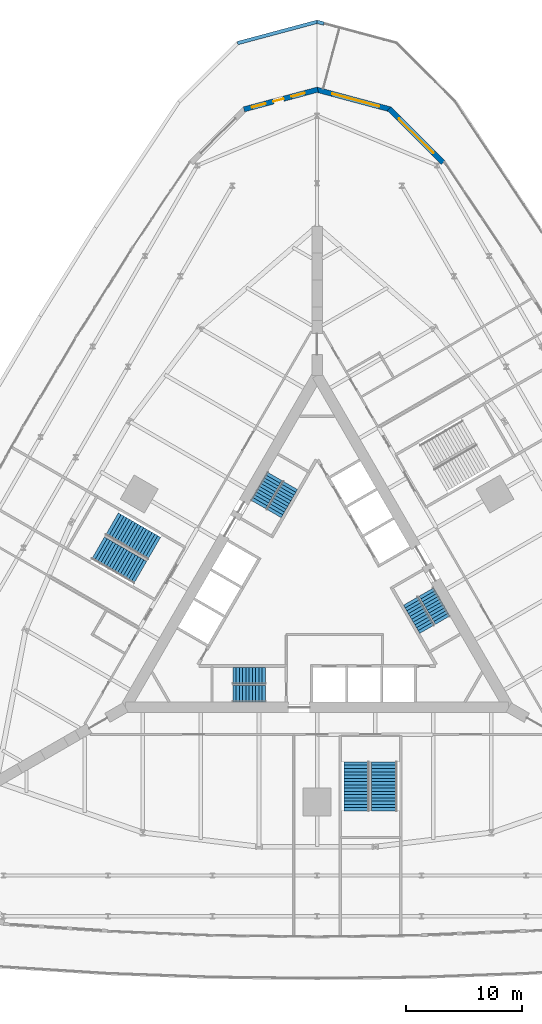
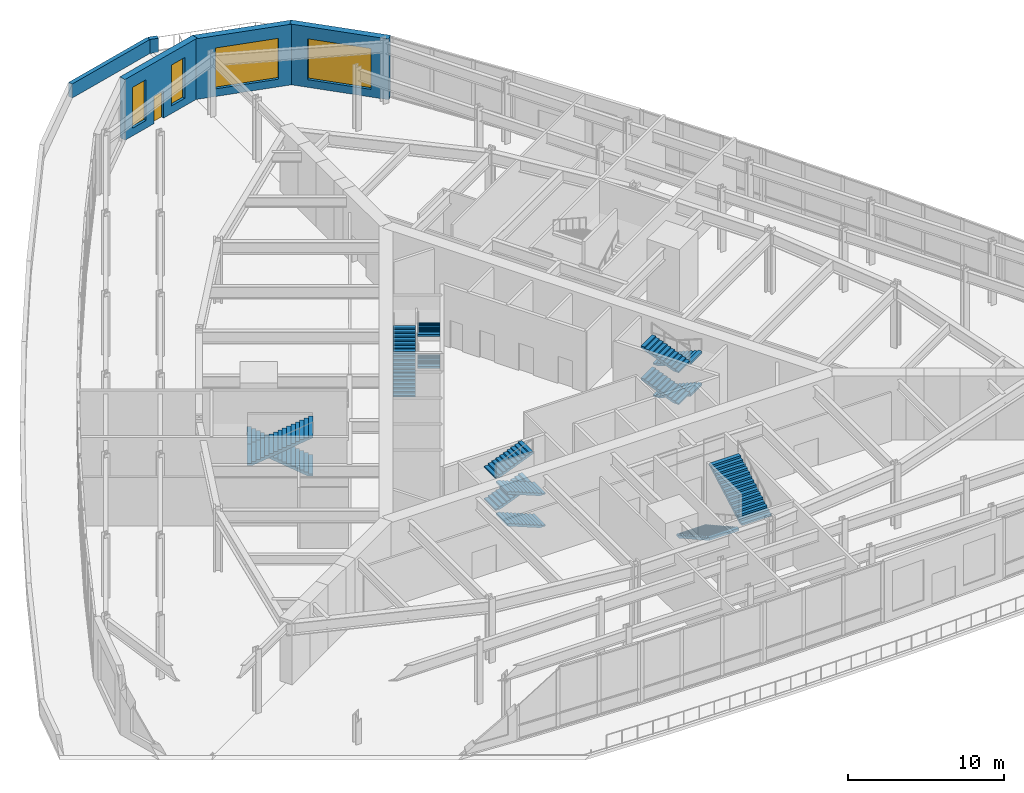
# One storey, part 16 of 20: 16 stair flights, 5 walls, 4 windows, 1 door, 5 openings, 5 elements without a shape of their own.
"""IFC4 building model written with IfcOpenShell, lengths in metres."""

from ifc_helpers import new_model, si_unit, direction, frame, frame_2d, origin, place, context, subcontext, project, spatial, polyline, rectangle, outline, extrude, material, layer, layer_set, type_object, element, fill, aggregate, save


model = new_model("IFC4")

# Units and contexts
model_context = context("Model", 3, precision=1e-05, world=origin(), true_north=direction((0.0, 1.0)))
body_context = subcontext(model_context, "Body", "Model", "MODEL_VIEW")
ifc_project = project(units=[si_unit("LENGTHUNIT", "METRE"), si_unit("AREAUNIT", "SQUARE_METRE"), si_unit("VOLUMEUNIT", "CUBIC_METRE"), si_unit("PLANEANGLEUNIT", "RADIAN"), si_unit("MASSUNIT", "GRAM", prefix="KILO")], contexts=[model_context])

# Site, building, storey
site_placement = place(None, origin())
site = spatial("IfcSite", under=ifc_project, at=site_placement, CompositionType="ELEMENT")
building_placement = place(site_placement, origin())
building = spatial("IfcBuilding", under=site, at=building_placement, Name="Trikona Tower", CompositionType="ELEMENT")
storey_placement = place(building_placement, frame((0.0, 0.0, 6.0)))
storey = spatial("IfcBuildingStorey", under=building, at=storey_placement, Name="L01", CompositionType="ELEMENT", Elevation=6.0)

# Wall, opening, window
ifc_material_1 = material(Name="Brick-faced precast concrete", Category="masonry")
ifc_layer_1 = layer(ifc_material_1, 0.449951171875)
ifc_layer_set_1 = layer_set([ifc_layer_1], Name="Brick-faced corner wall 450")
wall_type_1 = type_object("IfcWallType", Name="Brick-faced corner wall 450", PredefinedType="SOLIDWALL", material=ifc_layer_set_1)
wall_1_placement = place(storey_placement, frame((10.8408203125, 37.36865234375, 0.0), z_axis=(0.0, 0.0, 1.0), x_axis=(-0.7070882144, 0.707125347486, 0.0)))
wall_1 = element("IfcWall", 1, at=wall_1_placement, inside=storey, type_object=wall_type_1, Name="External wall L01-16", PredefinedType="SOLIDWALL", context=body_context, shape_type="SweptSolid", body=[
    extrude(rectangle(XDim=6.57470703125, YDim=0.449951171875, at=frame_2d((3.287353515625, 0.0))), origin(), (0.0, 0.0, 1.0), 4.75),
])
opening_1_placement = place(wall_1_placement, frame((1.1875, 0.0, 0.60009765625)))
opening_1 = element("IfcOpeningElement", 2, at=opening_1_placement, cuts=wall_1, Name="Opening W4232", PredefinedType="OPENING", context=body_context, shape_type="SweptSolid", body=[
    extrude(rectangle(XDim=4.199951171875, YDim=3.199951171875, at=frame_2d((2.10009765625, 1.60009765625))), frame((0.0, 0.23486328125, 0.0), z_axis=(0.0, -1.0, 0.0), x_axis=(1.0, 0.0, 0.0)), (0.0, 0.0, 1.0), 0.469970703125),
])
ifc_material_2 = material(Name="Aluminium-framed double glazing", Category="aluminium")
window_type_1 = type_object("IfcWindowType", Name="Window 4200x3200", PartitioningType="SINGLE_PANEL", PredefinedType="WINDOW", material=ifc_material_2)
window_1_placement = place(opening_1_placement, origin())
window_1 = element("IfcWindow", 3, at=window_1_placement, inside=storey, type_object=window_type_1, Name="Window L01-PDR", OverallHeight=3.199951171875, OverallWidth=4.199951171875, PartitioningType="SINGLE_PANEL", PredefinedType="WINDOW", context=body_context, shape_type="SweptSolid", body=[
    extrude(rectangle(XDim=4.199951171875, YDim=3.199951171875, at=frame_2d((2.10009765625, 1.60009765625))), frame((0.0, 0.030029296875, 0.0), z_axis=(0.0, -1.0, 0.0), x_axis=(1.0, 0.0, 0.0)), (0.0, 0.0, 1.0), 0.06005859375),
])
fill(opening_1, window_1)

wall_2_placement = place(storey_placement, frame((6.292724609375, 41.959716796875, 0.0), z_axis=(0.0, 0.0, 1.0), x_axis=(-0.96592733332, 0.258813420722, 0.0)))
wall_2 = element("IfcWall", 4, at=wall_2_placement, inside=storey, type_object=wall_type_1, Name="External wall L01-17", PredefinedType="SOLIDWALL", context=body_context, shape_type="SweptSolid", body=[
    extrude(rectangle(XDim=6.574951171875, YDim=0.449951171875, at=frame_2d((3.28759765625, 0.0))), origin(), (0.0, 0.0, 1.0), 4.75),
])
opening_2_placement = place(wall_2_placement, frame((0.96875, 0.0, 0.60009765625)))
opening_2 = element("IfcOpeningElement", 5, at=opening_2_placement, cuts=wall_2, Name="Opening W4232", PredefinedType="OPENING", context=body_context, shape_type="SweptSolid", body=[
    extrude(rectangle(XDim=4.199951171875, YDim=3.199951171875, at=frame_2d((2.10009765625, 1.60009765625))), frame((0.0, 0.23486328125, 0.0), z_axis=(0.0, -1.0, 0.0), x_axis=(1.0, 0.0, 0.0)), (0.0, 0.0, 1.0), 0.469970703125),
])
window_2_placement = place(opening_2_placement, origin())
window_2 = element("IfcWindow", 6, at=window_2_placement, inside=storey, type_object=window_type_1, Name="Window L01-PDR", OverallHeight=3.199951171875, OverallWidth=4.199951171875, PartitioningType="SINGLE_PANEL", PredefinedType="WINDOW", context=body_context, shape_type="SweptSolid", body=[
    extrude(rectangle(XDim=4.199951171875, YDim=3.199951171875, at=frame_2d((2.10009765625, 1.60009765625))), frame((0.0, 0.030029296875, 0.0), z_axis=(0.0, -1.0, 0.0), x_axis=(1.0, 0.0, 0.0)), (0.0, 0.0, 1.0), 0.06005859375),
])
fill(opening_2, window_2)

# Wall, openings, door, windows
wall_3_placement = place(storey_placement, frame((0.05810546875, 43.661376953125, 0.0), z_axis=(0.0, 0.0, 1.0), x_axis=(-0.96592733332, -0.258813420722, 0.0)))
wall_3 = element("IfcWall", 7, at=wall_3_placement, inside=storey, type_object=wall_type_1, Name="External wall L01-18", PredefinedType="SOLIDWALL", context=body_context, shape_type="SweptSolid", body=[
    extrude(rectangle(XDim=6.574951171875, YDim=0.449951171875, at=frame_2d((3.28759765625, 0.0))), origin(), (0.0, 0.0, 1.0), 4.75),
])
opening_3_placement = place(wall_3_placement, frame((3.0556640625, 0.0, 0.0)))
opening_3 = element("IfcOpeningElement", 8, at=opening_3_placement, cuts=wall_3, Name="Opening D17", PredefinedType="OPENING", context=body_context, shape_type="SweptSolid", body=[
    extrude(rectangle(XDim=0.89990234375, YDim=2.1298828125, at=frame_2d((0.449951171875, 1.06494140625))), frame((0.0, 0.23486328125, 0.0), z_axis=(0.0, -1.0, 0.0), x_axis=(1.0, 0.0, 0.0)), (0.0, 0.0, 1.0), 0.469970703125),
])
opening_4_placement = place(wall_3_placement, frame((1.14599609375, 0.0, 0.60009765625)))
opening_4 = element("IfcOpeningElement", 9, at=opening_4_placement, cuts=wall_3, Name="Opening W1232", PredefinedType="OPENING", context=body_context, shape_type="SweptSolid", body=[
    extrude(rectangle(XDim=1.199951171875, YDim=3.199951171875, at=frame_2d((0.60009765625, 1.60009765625))), frame((0.0, 0.23486328125, 0.0), z_axis=(0.0, -1.0, 0.0), x_axis=(1.0, 0.0, 0.0)), (0.0, 0.0, 1.0), 0.469970703125),
])
opening_5_placement = place(wall_3_placement, frame((4.665283203125, 0.0, 0.60009765625)))
opening_5 = element("IfcOpeningElement", 10, at=opening_5_placement, cuts=wall_3, Name="Opening W1232", PredefinedType="OPENING", context=body_context, shape_type="SweptSolid", body=[
    extrude(rectangle(XDim=1.199951171875, YDim=3.199951171875, at=frame_2d((0.60009765625, 1.60009765625))), frame((0.0, 0.23486328125, 0.0), z_axis=(0.0, -1.0, 0.0), x_axis=(1.0, 0.0, 0.0)), (0.0, 0.0, 1.0), 0.469970703125),
])
ifc_material_3 = material(Name="Insulated steel door and frame", Category="steel")
door_type = type_object("IfcDoorType", Name="Maintenance roof access door 900x2130", OperationType="SINGLE_SWING_LEFT", PredefinedType="DOOR", material=ifc_material_3)
door_placement = place(opening_3_placement, origin())
door = element("IfcDoor", 11, at=door_placement, inside=storey, type_object=door_type, Name="Maintenance access door Back of house", OperationType="SINGLE_SWING_RIGHT", OverallHeight=2.1298828125, OverallWidth=0.89990234375, PredefinedType="DOOR", context=body_context, shape_type="SweptSolid", body=[
    extrude(rectangle(XDim=0.89990234375, YDim=2.1298828125, at=frame_2d((0.449951171875, 1.06494140625))), frame((0.0, 0.02490234375, 0.0), z_axis=(0.0, -1.0, 0.0), x_axis=(1.0, 0.0, 0.0)), (0.0, 0.0, 1.0), 0.050048828125),
])
fill(opening_3, door)
ifc_material_4 = material(Name="Aluminium-framed double glazing", Category="aluminium")
window_type_2 = type_object("IfcWindowType", Name="Window 1200x3200", PartitioningType="SINGLE_PANEL", PredefinedType="WINDOW", material=ifc_material_4)
window_3_placement = place(opening_4_placement, origin())
window_3 = element("IfcWindow", 12, at=window_3_placement, inside=storey, type_object=window_type_2, Name="Window L01-BOH", OverallHeight=3.199951171875, OverallWidth=1.199951171875, PartitioningType="SINGLE_PANEL", PredefinedType="WINDOW", context=body_context, shape_type="SweptSolid", body=[
    extrude(rectangle(XDim=1.199951171875, YDim=3.199951171875, at=frame_2d((0.60009765625, 1.60009765625))), frame((0.0, 0.030029296875, 0.0), z_axis=(0.0, -1.0, 0.0), x_axis=(1.0, 0.0, 0.0)), (0.0, 0.0, 1.0), 0.06005859375),
])
fill(opening_4, window_3)
window_4_placement = place(opening_5_placement, origin())
window_4 = element("IfcWindow", 13, at=window_4_placement, inside=storey, type_object=window_type_2, Name="Window L01-BOH", OverallHeight=3.199951171875, OverallWidth=1.199951171875, PartitioningType="SINGLE_PANEL", PredefinedType="WINDOW", context=body_context, shape_type="SweptSolid", body=[
    extrude(rectangle(XDim=1.199951171875, YDim=3.199951171875, at=frame_2d((0.60009765625, 1.60009765625))), frame((0.0, 0.030029296875, 0.0), z_axis=(0.0, -1.0, 0.0), x_axis=(1.0, 0.0, 0.0)), (0.0, 0.0, 1.0), 0.06005859375),
])
fill(opening_5, window_4)

# Walls
ifc_material_5 = material(Name="Brick-faced precast concrete", Category="masonry")
ifc_layer_2 = layer(ifc_material_5, 0.300048828125)
ifc_layer_set_2 = layer_set([ifc_layer_2], Name="Parapet wall 300")
wall_type_2 = type_object("IfcWallType", Name="Parapet wall 300", PredefinedType="PARAPET", material=ifc_layer_set_2)
wall_4_placement = place(storey_placement, frame((-6.8505859375, 47.6611328125, 0.0), z_axis=(0.0, 0.0, 1.0), x_axis=(0.965922851517, 0.258830146848, 0.0)))
element("IfcWall", 14, at=wall_4_placement, inside=storey, type_object=wall_type_2, Name="Green roof parapet L01-1-10", PredefinedType="PARAPET", context=body_context, shape_type="SweptSolid", body=[
    extrude(rectangle(XDim=7.09228515625, YDim=0.300048828125, at=frame_2d((3.546142578125, 0.0))), origin(), (0.0, 0.0, 1.0), 1.10009765625),
])
wall_5_placement = place(storey_placement, frame((0.0, 49.496826171875, 0.0), z_axis=(0.0, 0.0, 1.0), x_axis=(0.965937155273, -0.258776761059, 0.0)))
element("IfcWall", 15, at=wall_5_placement, inside=storey, type_object=wall_type_2, Name="Green roof parapet L01-1-11", PredefinedType="PARAPET", context=body_context, shape_type="SweptSolid", body=[
    extrude(rectangle(XDim=0.60009765625, YDim=0.300048828125, at=frame_2d((0.300048828125, 0.0))), origin(), (0.0, 0.0, 1.0), 1.10009765625),
])

# Stair, stair flights
ifc_material_6 = material(Name="Concrete f'c 5000 psi", Category="concrete")
stair_type_1 = type_object("IfcStairType", Name="Core stair", PredefinedType="HALF_TURN_STAIR", material=ifc_material_6)
stair_1_placement = place(storey_placement, origin())
stair_1 = element("IfcStair", 16, at=stair_1_placement, inside=storey, type_object=stair_type_1, Name="Stair A L01", PredefinedType="HALF_TURN_STAIR")
ifc_material_7 = material(Name="Concrete f'c 5000 psi", Category="concrete")
stair_flight_type_1 = type_object("IfcStairFlightType", Name="Core stair flight 1450", PredefinedType="STRAIGHT", material=ifc_material_7)
stair_flight_1_placement = place(storey_placement, frame((-4.449951171875, -8.351318359375, 0.0), z_axis=(0.0, 0.0, 1.0), x_axis=(-1.0, 0.0, 0.0)))
stair_flight_1 = element("IfcStairFlight", 17, at=stair_flight_1_placement, type_object=stair_flight_type_1, Name="ST-A flight 1", NumberOfRisers=11, NumberOfTreads=10, PredefinedType="STRAIGHT", RiserHeight=0.113636, TreadLength=0.28, context=body_context, shape_type="SweptSolid", body=[
    extrude(outline(polyline([(0.0, 0.0), (0.0, 0.113525390625), (0.280029296875, 0.113525390625), (0.280029296875, 0.227294921875), (0.56005859375, 0.227294921875), (0.56005859375, 0.3408203125), (0.840087890625, 0.3408203125), (0.840087890625, 0.45458984375), (1.1201171875, 0.45458984375), (1.1201171875, 0.568115234375), (1.39990234375, 0.568115234375), (1.39990234375, 0.681884765625), (1.679931640625, 0.681884765625), (1.679931640625, 0.79541015625), (1.9599609375, 0.79541015625), (1.9599609375, 0.9091796875), (2.239990234375, 0.9091796875), (2.239990234375, 1.022705078125), (2.52001953125, 1.022705078125), (2.52001953125, 1.136474609375), (2.800048828125, 1.136474609375), (2.800048828125, 1.25), (2.800048828125, 0.974609375), (0.398681640625, 0.0), (0.0, 0.0)])), frame((0.0, 0.72509765625, 0.0), z_axis=(0.0, -1.0, 0.0), x_axis=(1.0, 0.0, 0.0)), (0.0, 0.0, 1.0), 1.449951171875),
])
stair_flight_2_placement = place(storey_placement, frame((-7.25, -6.80126953125, 1.25), z_axis=(0.0, 0.0, 1.0), x_axis=(1.0, 0.0, 0.0)))
stair_flight_2 = element("IfcStairFlight", 18, at=stair_flight_2_placement, type_object=stair_flight_type_1, Name="ST-A flight 2", NumberOfRisers=11, NumberOfTreads=10, PredefinedType="STRAIGHT", RiserHeight=0.113636, TreadLength=0.28, context=body_context, shape_type="SweptSolid", body=[
    extrude(outline(polyline([(0.0, 0.0), (0.0, 0.113525390625), (0.280029296875, 0.113525390625), (0.280029296875, 0.227294921875), (0.56005859375, 0.227294921875), (0.56005859375, 0.3408203125), (0.840087890625, 0.3408203125), (0.840087890625, 0.45458984375), (1.1201171875, 0.45458984375), (1.1201171875, 0.568115234375), (1.39990234375, 0.568115234375), (1.39990234375, 0.681884765625), (1.679931640625, 0.681884765625), (1.679931640625, 0.79541015625), (1.9599609375, 0.79541015625), (1.9599609375, 0.9091796875), (2.239990234375, 0.9091796875), (2.239990234375, 1.022705078125), (2.52001953125, 1.022705078125), (2.52001953125, 1.136474609375), (2.800048828125, 1.136474609375), (2.800048828125, 1.25), (2.800048828125, 0.974609375), (0.398681640625, 0.0), (0.0, 0.0)])), frame((0.0, 0.72509765625, 0.0), z_axis=(0.0, -1.0, 0.0), x_axis=(1.0, 0.0, 0.0)), (0.0, 0.0, 1.0), 1.449951171875),
])
stair_flight_3_placement = place(storey_placement, frame((-4.449951171875, -8.351318359375, 2.5), z_axis=(0.0, 0.0, 1.0), x_axis=(-1.0, 0.0, 0.0)))
stair_flight_3 = element("IfcStairFlight", 19, at=stair_flight_3_placement, type_object=stair_flight_type_1, Name="ST-A flight 3", NumberOfRisers=11, NumberOfTreads=10, PredefinedType="STRAIGHT", RiserHeight=0.113636, TreadLength=0.28, context=body_context, shape_type="SweptSolid", body=[
    extrude(outline(polyline([(0.0, 0.0), (0.0, 0.113525390625), (0.280029296875, 0.113525390625), (0.280029296875, 0.227294921875), (0.56005859375, 0.227294921875), (0.56005859375, 0.3408203125), (0.840087890625, 0.3408203125), (0.840087890625, 0.45458984375), (1.1201171875, 0.45458984375), (1.1201171875, 0.568115234375), (1.39990234375, 0.568115234375), (1.39990234375, 0.681884765625), (1.679931640625, 0.681884765625), (1.679931640625, 0.79541015625), (1.9599609375, 0.79541015625), (1.9599609375, 0.9091796875), (2.239990234375, 0.9091796875), (2.239990234375, 1.022705078125), (2.52001953125, 1.022705078125), (2.52001953125, 1.136474609375), (2.800048828125, 1.136474609375), (2.800048828125, 1.25), (2.800048828125, 0.974609375), (0.398681640625, 0.0), (0.0, 0.0)])), frame((0.0, 0.72509765625, 0.0), z_axis=(0.0, -1.0, 0.0), x_axis=(1.0, 0.0, 0.0)), (0.0, 0.0, 1.0), 1.449951171875),
])
stair_flight_4_placement = place(storey_placement, frame((-7.25, -6.80126953125, 3.75), z_axis=(0.0, 0.0, 1.0), x_axis=(1.0, 0.0, 0.0)))
stair_flight_4 = element("IfcStairFlight", 20, at=stair_flight_4_placement, type_object=stair_flight_type_1, Name="ST-A flight 4", NumberOfRisers=11, NumberOfTreads=10, PredefinedType="STRAIGHT", RiserHeight=0.113636, TreadLength=0.28, context=body_context, shape_type="SweptSolid", body=[
    extrude(outline(polyline([(0.0, 0.0), (0.0, 0.113525390625), (0.280029296875, 0.113525390625), (0.280029296875, 0.227294921875), (0.56005859375, 0.227294921875), (0.56005859375, 0.3408203125), (0.840087890625, 0.3408203125), (0.840087890625, 0.45458984375), (1.1201171875, 0.45458984375), (1.1201171875, 0.568115234375), (1.39990234375, 0.568115234375), (1.39990234375, 0.681884765625), (1.679931640625, 0.681884765625), (1.679931640625, 0.79541015625), (1.9599609375, 0.79541015625), (1.9599609375, 0.9091796875), (2.239990234375, 0.9091796875), (2.239990234375, 1.022705078125), (2.52001953125, 1.022705078125), (2.52001953125, 1.136474609375), (2.800048828125, 1.136474609375), (2.800048828125, 1.25), (2.800048828125, 0.974609375), (0.398681640625, 0.0), (0.0, 0.0)])), frame((0.0, 0.72509765625, 0.0), z_axis=(0.0, -1.0, 0.0), x_axis=(1.0, 0.0, 0.0)), (0.0, 0.0, 1.0), 1.449951171875),
])
aggregate(stair_1, [stair_flight_1, stair_flight_2, stair_flight_3, stair_flight_4])

stair_2_placement = place(storey_placement, origin())
stair_2 = element("IfcStair", 21, at=stair_2_placement, inside=storey, type_object=stair_type_1, Name="Stair B L01", PredefinedType="HALF_TURN_STAIR")
stair_flight_5_placement = place(storey_placement, frame((9.407470703125, 0.408447265625, 0.0), z_axis=(0.0, 0.0, 1.0), x_axis=(0.5, -0.866025403784, 0.0)))
stair_flight_5 = element("IfcStairFlight", 22, at=stair_flight_5_placement, type_object=stair_flight_type_1, Name="ST-B flight 1", NumberOfRisers=11, NumberOfTreads=10, PredefinedType="STRAIGHT", RiserHeight=0.113636, TreadLength=0.28, context=body_context, shape_type="SweptSolid", body=[
    extrude(outline(polyline([(0.0, 0.0), (0.0, 0.113525390625), (0.280029296875, 0.113525390625), (0.280029296875, 0.227294921875), (0.56005859375, 0.227294921875), (0.56005859375, 0.3408203125), (0.840087890625, 0.3408203125), (0.840087890625, 0.45458984375), (1.1201171875, 0.45458984375), (1.1201171875, 0.568115234375), (1.39990234375, 0.568115234375), (1.39990234375, 0.681884765625), (1.679931640625, 0.681884765625), (1.679931640625, 0.79541015625), (1.9599609375, 0.79541015625), (1.9599609375, 0.9091796875), (2.239990234375, 0.9091796875), (2.239990234375, 1.022705078125), (2.52001953125, 1.022705078125), (2.52001953125, 1.136474609375), (2.800048828125, 1.136474609375), (2.800048828125, 1.25), (2.800048828125, 0.974609375), (0.398681640625, 0.0), (0.0, 0.0)])), frame((0.0, 0.72509765625, 0.0), z_axis=(0.0, -1.0, 0.0), x_axis=(1.0, 0.0, 0.0)), (0.0, 0.0, 1.0), 1.449951171875),
])
stair_flight_6_placement = place(storey_placement, frame((9.465087890625, -2.79150390625, 1.25), z_axis=(0.0, 0.0, 1.0), x_axis=(-0.5, 0.866025403784, 0.0)))
stair_flight_6 = element("IfcStairFlight", 23, at=stair_flight_6_placement, type_object=stair_flight_type_1, Name="ST-B flight 2", NumberOfRisers=11, NumberOfTreads=10, PredefinedType="STRAIGHT", RiserHeight=0.113636, TreadLength=0.28, context=body_context, shape_type="SweptSolid", body=[
    extrude(outline(polyline([(0.0, 0.0), (0.0, 0.113525390625), (0.280029296875, 0.113525390625), (0.280029296875, 0.227294921875), (0.56005859375, 0.227294921875), (0.56005859375, 0.3408203125), (0.840087890625, 0.3408203125), (0.840087890625, 0.45458984375), (1.1201171875, 0.45458984375), (1.1201171875, 0.568115234375), (1.39990234375, 0.568115234375), (1.39990234375, 0.681884765625), (1.679931640625, 0.681884765625), (1.679931640625, 0.79541015625), (1.9599609375, 0.79541015625), (1.9599609375, 0.9091796875), (2.239990234375, 0.9091796875), (2.239990234375, 1.022705078125), (2.52001953125, 1.022705078125), (2.52001953125, 1.136474609375), (2.800048828125, 1.136474609375), (2.800048828125, 1.25), (2.800048828125, 0.974609375), (0.398681640625, 0.0), (0.0, 0.0)])), frame((0.0, 0.72509765625, 0.0), z_axis=(0.0, -1.0, 0.0), x_axis=(1.0, 0.0, 0.0)), (0.0, 0.0, 1.0), 1.449951171875),
])
stair_flight_7_placement = place(storey_placement, frame((9.407470703125, 0.408447265625, 2.5), z_axis=(0.0, 0.0, 1.0), x_axis=(0.5, -0.866025403784, 0.0)))
stair_flight_7 = element("IfcStairFlight", 24, at=stair_flight_7_placement, type_object=stair_flight_type_1, Name="ST-B flight 3", NumberOfRisers=11, NumberOfTreads=10, PredefinedType="STRAIGHT", RiserHeight=0.113636, TreadLength=0.28, context=body_context, shape_type="SweptSolid", body=[
    extrude(outline(polyline([(0.0, 0.0), (0.0, 0.113525390625), (0.280029296875, 0.113525390625), (0.280029296875, 0.227294921875), (0.56005859375, 0.227294921875), (0.56005859375, 0.3408203125), (0.840087890625, 0.3408203125), (0.840087890625, 0.45458984375), (1.1201171875, 0.45458984375), (1.1201171875, 0.568115234375), (1.39990234375, 0.568115234375), (1.39990234375, 0.681884765625), (1.679931640625, 0.681884765625), (1.679931640625, 0.79541015625), (1.9599609375, 0.79541015625), (1.9599609375, 0.9091796875), (2.239990234375, 0.9091796875), (2.239990234375, 1.022705078125), (2.52001953125, 1.022705078125), (2.52001953125, 1.136474609375), (2.800048828125, 1.136474609375), (2.800048828125, 1.25), (2.800048828125, 0.974609375), (0.398681640625, 0.0), (0.0, 0.0)])), frame((0.0, 0.72509765625, 0.0), z_axis=(0.0, -1.0, 0.0), x_axis=(1.0, 0.0, 0.0)), (0.0, 0.0, 1.0), 1.449951171875),
])
stair_flight_8_placement = place(storey_placement, frame((9.465087890625, -2.79150390625, 3.75), z_axis=(0.0, 0.0, 1.0), x_axis=(-0.5, 0.866025403784, 0.0)))
stair_flight_8 = element("IfcStairFlight", 25, at=stair_flight_8_placement, type_object=stair_flight_type_1, Name="ST-B flight 4", NumberOfRisers=11, NumberOfTreads=10, PredefinedType="STRAIGHT", RiserHeight=0.113636, TreadLength=0.28, context=body_context, shape_type="SweptSolid", body=[
    extrude(outline(polyline([(0.0, 0.0), (0.0, 0.113525390625), (0.280029296875, 0.113525390625), (0.280029296875, 0.227294921875), (0.56005859375, 0.227294921875), (0.56005859375, 0.3408203125), (0.840087890625, 0.3408203125), (0.840087890625, 0.45458984375), (1.1201171875, 0.45458984375), (1.1201171875, 0.568115234375), (1.39990234375, 0.568115234375), (1.39990234375, 0.681884765625), (1.679931640625, 0.681884765625), (1.679931640625, 0.79541015625), (1.9599609375, 0.79541015625), (1.9599609375, 0.9091796875), (2.239990234375, 0.9091796875), (2.239990234375, 1.022705078125), (2.52001953125, 1.022705078125), (2.52001953125, 1.136474609375), (2.800048828125, 1.136474609375), (2.800048828125, 1.25), (2.800048828125, 0.974609375), (0.398681640625, 0.0), (0.0, 0.0)])), frame((0.0, 0.72509765625, 0.0), z_axis=(0.0, -1.0, 0.0), x_axis=(1.0, 0.0, 0.0)), (0.0, 0.0, 1.0), 1.449951171875),
])
aggregate(stair_2, [stair_flight_5, stair_flight_6, stair_flight_7, stair_flight_8])

stair_3_placement = place(storey_placement, origin())
stair_3 = element("IfcStair", 26, at=stair_3_placement, inside=storey, type_object=stair_type_1, Name="Stair C L01", PredefinedType="HALF_TURN_STAIR")
stair_flight_9_placement = place(storey_placement, frame((-5.057373046875, 7.94287109375, 0.0), z_axis=(0.0, 0.0, 1.0), x_axis=(0.5, 0.866025403784, 0.0)))
stair_flight_9 = element("IfcStairFlight", 27, at=stair_flight_9_placement, type_object=stair_flight_type_1, Name="ST-C flight 1", NumberOfRisers=11, NumberOfTreads=10, PredefinedType="STRAIGHT", RiserHeight=0.113636, TreadLength=0.28, context=body_context, shape_type="SweptSolid", body=[
    extrude(outline(polyline([(0.0, 0.0), (0.0, 0.113525390625), (0.280029296875, 0.113525390625), (0.280029296875, 0.227294921875), (0.56005859375, 0.227294921875), (0.56005859375, 0.3408203125), (0.840087890625, 0.3408203125), (0.840087890625, 0.45458984375), (1.1201171875, 0.45458984375), (1.1201171875, 0.568115234375), (1.39990234375, 0.568115234375), (1.39990234375, 0.681884765625), (1.679931640625, 0.681884765625), (1.679931640625, 0.79541015625), (1.9599609375, 0.79541015625), (1.9599609375, 0.9091796875), (2.239990234375, 0.9091796875), (2.239990234375, 1.022705078125), (2.52001953125, 1.022705078125), (2.52001953125, 1.136474609375), (2.800048828125, 1.136474609375), (2.800048828125, 1.25), (2.800048828125, 0.974609375), (0.398681640625, 0.0), (0.0, 0.0)])), frame((0.0, 0.72509765625, 0.0), z_axis=(0.0, -1.0, 0.0), x_axis=(1.0, 0.0, 0.0)), (0.0, 0.0, 1.0), 1.449951171875),
])
stair_flight_10_placement = place(storey_placement, frame((-2.315185546875, 9.5927734375, 1.25), z_axis=(0.0, 0.0, 1.0), x_axis=(-0.5, -0.866025403784, 0.0)))
stair_flight_10 = element("IfcStairFlight", 28, at=stair_flight_10_placement, type_object=stair_flight_type_1, Name="ST-C flight 2", NumberOfRisers=11, NumberOfTreads=10, PredefinedType="STRAIGHT", RiserHeight=0.113636, TreadLength=0.28, context=body_context, shape_type="SweptSolid", body=[
    extrude(outline(polyline([(0.0, 0.0), (0.0, 0.113525390625), (0.280029296875, 0.113525390625), (0.280029296875, 0.227294921875), (0.56005859375, 0.227294921875), (0.56005859375, 0.3408203125), (0.840087890625, 0.3408203125), (0.840087890625, 0.45458984375), (1.1201171875, 0.45458984375), (1.1201171875, 0.568115234375), (1.39990234375, 0.568115234375), (1.39990234375, 0.681884765625), (1.679931640625, 0.681884765625), (1.679931640625, 0.79541015625), (1.9599609375, 0.79541015625), (1.9599609375, 0.9091796875), (2.239990234375, 0.9091796875), (2.239990234375, 1.022705078125), (2.52001953125, 1.022705078125), (2.52001953125, 1.136474609375), (2.800048828125, 1.136474609375), (2.800048828125, 1.25), (2.800048828125, 0.974609375), (0.398681640625, 0.0), (0.0, 0.0)])), frame((0.0, 0.72509765625, 0.0), z_axis=(0.0, -1.0, 0.0), x_axis=(1.0, 0.0, 0.0)), (0.0, 0.0, 1.0), 1.449951171875),
])
stair_flight_11_placement = place(storey_placement, frame((-5.057373046875, 7.94287109375, 2.5), z_axis=(0.0, 0.0, 1.0), x_axis=(0.5, 0.866025403784, 0.0)))
stair_flight_11 = element("IfcStairFlight", 29, at=stair_flight_11_placement, type_object=stair_flight_type_1, Name="ST-C flight 3", NumberOfRisers=11, NumberOfTreads=10, PredefinedType="STRAIGHT", RiserHeight=0.113636, TreadLength=0.28, context=body_context, shape_type="SweptSolid", body=[
    extrude(outline(polyline([(0.0, 0.0), (0.0, 0.113525390625), (0.280029296875, 0.113525390625), (0.280029296875, 0.227294921875), (0.56005859375, 0.227294921875), (0.56005859375, 0.3408203125), (0.840087890625, 0.3408203125), (0.840087890625, 0.45458984375), (1.1201171875, 0.45458984375), (1.1201171875, 0.568115234375), (1.39990234375, 0.568115234375), (1.39990234375, 0.681884765625), (1.679931640625, 0.681884765625), (1.679931640625, 0.79541015625), (1.9599609375, 0.79541015625), (1.9599609375, 0.9091796875), (2.239990234375, 0.9091796875), (2.239990234375, 1.022705078125), (2.52001953125, 1.022705078125), (2.52001953125, 1.136474609375), (2.800048828125, 1.136474609375), (2.800048828125, 1.25), (2.800048828125, 0.974609375), (0.398681640625, 0.0), (0.0, 0.0)])), frame((0.0, 0.72509765625, 0.0), z_axis=(0.0, -1.0, 0.0), x_axis=(1.0, 0.0, 0.0)), (0.0, 0.0, 1.0), 1.449951171875),
])
stair_flight_12_placement = place(storey_placement, frame((-2.315185546875, 9.5927734375, 3.75), z_axis=(0.0, 0.0, 1.0), x_axis=(-0.5, -0.866025403784, 0.0)))
stair_flight_12 = element("IfcStairFlight", 30, at=stair_flight_12_placement, type_object=stair_flight_type_1, Name="ST-C flight 4", NumberOfRisers=11, NumberOfTreads=10, PredefinedType="STRAIGHT", RiserHeight=0.113636, TreadLength=0.28, context=body_context, shape_type="SweptSolid", body=[
    extrude(outline(polyline([(0.0, 0.0), (0.0, 0.113525390625), (0.280029296875, 0.113525390625), (0.280029296875, 0.227294921875), (0.56005859375, 0.227294921875), (0.56005859375, 0.3408203125), (0.840087890625, 0.3408203125), (0.840087890625, 0.45458984375), (1.1201171875, 0.45458984375), (1.1201171875, 0.568115234375), (1.39990234375, 0.568115234375), (1.39990234375, 0.681884765625), (1.679931640625, 0.681884765625), (1.679931640625, 0.79541015625), (1.9599609375, 0.79541015625), (1.9599609375, 0.9091796875), (2.239990234375, 0.9091796875), (2.239990234375, 1.022705078125), (2.52001953125, 1.022705078125), (2.52001953125, 1.136474609375), (2.800048828125, 1.136474609375), (2.800048828125, 1.25), (2.800048828125, 0.974609375), (0.398681640625, 0.0), (0.0, 0.0)])), frame((0.0, 0.72509765625, 0.0), z_axis=(0.0, -1.0, 0.0), x_axis=(1.0, 0.0, 0.0)), (0.0, 0.0, 1.0), 1.449951171875),
])
aggregate(stair_3, [stair_flight_9, stair_flight_10, stair_flight_11, stair_flight_12])

ifc_material_8 = material(Name="Concrete f'c 5000 psi", Category="concrete")
stair_type_2 = type_object("IfcStairType", Name="Podium stair", PredefinedType="HALF_TURN_STAIR", material=ifc_material_8)
stair_4_placement = place(storey_placement, origin())
stair_4 = element("IfcStair", 31, at=stair_4_placement, inside=storey, type_object=stair_type_2, Name="Podium stair PS1 L01", PredefinedType="HALF_TURN_STAIR")
ifc_material_9 = material(Name="Concrete f'c 5000 psi", Category="concrete")
stair_flight_type_2 = type_object("IfcStairFlightType", Name="Podium stair flight 2200", PredefinedType="STRAIGHT", material=ifc_material_9)
stair_flight_13_placement = place(storey_placement, frame((3.39990234375, -14.226318359375, 0.0), z_axis=(0.0, 0.0, 1.0), x_axis=(0.0, -1.0, 0.0)))
stair_flight_13 = element("IfcStairFlight", 32, at=stair_flight_13_placement, type_object=stair_flight_type_2, Name="PS1 flight 1", NumberOfRisers=16, NumberOfTreads=15, PredefinedType="STRAIGHT", RiserHeight=0.15625, TreadLength=0.28, context=body_context, shape_type="SweptSolid", body=[
    extrude(outline(polyline([(0.0, 0.0), (0.0, 0.15625), (0.280029296875, 0.15625), (0.280029296875, 0.3125), (0.56005859375, 0.3125), (0.56005859375, 0.46875), (0.840087890625, 0.46875), (0.840087890625, 0.625), (1.1201171875, 0.625), (1.1201171875, 0.78125), (1.39990234375, 0.78125), (1.39990234375, 0.9375), (1.679931640625, 0.9375), (1.679931640625, 1.09375), (1.9599609375, 1.09375), (1.9599609375, 1.25), (2.239990234375, 1.25), (2.239990234375, 1.40625), (2.52001953125, 1.40625), (2.52001953125, 1.5625), (2.800048828125, 1.5625), (2.800048828125, 1.71875), (3.080078125, 1.71875), (3.080078125, 1.875), (3.360107421875, 1.875), (3.360107421875, 2.03125), (3.639892578125, 2.03125), (3.639892578125, 2.1875), (3.919921875, 2.1875), (3.919921875, 2.34375), (4.199951171875, 2.34375), (4.199951171875, 2.5), (4.199951171875, 2.172119140625), (0.3076171875, 0.0), (0.0, 0.0)])), frame((0.0, 1.10009765625, 0.0), z_axis=(0.0, -1.0, 0.0), x_axis=(1.0, 0.0, 0.0)), (0.0, 0.0, 1.0), 2.199951171875),
])
stair_flight_14_placement = place(storey_placement, frame((5.800048828125, -18.42626953125, 2.5), z_axis=(0.0, 0.0, 1.0), x_axis=(0.0, 1.0, 0.0)))
stair_flight_14 = element("IfcStairFlight", 33, at=stair_flight_14_placement, type_object=stair_flight_type_2, Name="PS1 flight 2", NumberOfRisers=16, NumberOfTreads=15, PredefinedType="STRAIGHT", RiserHeight=0.15625, TreadLength=0.28, context=body_context, shape_type="SweptSolid", body=[
    extrude(outline(polyline([(0.0, 0.0), (0.0, 0.15625), (0.280029296875, 0.15625), (0.280029296875, 0.3125), (0.56005859375, 0.3125), (0.56005859375, 0.46875), (0.840087890625, 0.46875), (0.840087890625, 0.625), (1.1201171875, 0.625), (1.1201171875, 0.78125), (1.39990234375, 0.78125), (1.39990234375, 0.9375), (1.679931640625, 0.9375), (1.679931640625, 1.09375), (1.9599609375, 1.09375), (1.9599609375, 1.25), (2.239990234375, 1.25), (2.239990234375, 1.40625), (2.52001953125, 1.40625), (2.52001953125, 1.5625), (2.800048828125, 1.5625), (2.800048828125, 1.71875), (3.080078125, 1.71875), (3.080078125, 1.875), (3.360107421875, 1.875), (3.360107421875, 2.03125), (3.639892578125, 2.03125), (3.639892578125, 2.1875), (3.919921875, 2.1875), (3.919921875, 2.34375), (4.199951171875, 2.34375), (4.199951171875, 2.5), (4.199951171875, 2.172119140625), (0.3076171875, 0.0), (0.0, 0.0)])), frame((0.0, 1.10009765625, 0.0), z_axis=(0.0, -1.0, 0.0), x_axis=(1.0, 0.0, 0.0)), (0.0, 0.0, 1.0), 2.199951171875),
])
aggregate(stair_4, [stair_flight_13, stair_flight_14])

stair_5_placement = place(storey_placement, origin())
stair_5 = element("IfcStair", 34, at=stair_5_placement, inside=storey, type_object=stair_type_2, Name="Podium stair PS3 L01", PredefinedType="HALF_TURN_STAIR")
stair_flight_15_placement = place(storey_placement, frame((-14.020263671875, 4.168701171875, 0.0), z_axis=(0.0, 0.0, 1.0), x_axis=(-0.866025403784, 0.5, 0.0)))
stair_flight_15 = element("IfcStairFlight", 35, at=stair_flight_15_placement, type_object=stair_flight_type_2, Name="PS3 flight 1", NumberOfRisers=16, NumberOfTreads=15, PredefinedType="STRAIGHT", RiserHeight=0.15625, TreadLength=0.28, context=body_context, shape_type="SweptSolid", body=[
    extrude(outline(polyline([(0.0, 0.0), (0.0, 0.15625), (0.280029296875, 0.15625), (0.280029296875, 0.3125), (0.56005859375, 0.3125), (0.56005859375, 0.46875), (0.840087890625, 0.46875), (0.840087890625, 0.625), (1.1201171875, 0.625), (1.1201171875, 0.78125), (1.39990234375, 0.78125), (1.39990234375, 0.9375), (1.679931640625, 0.9375), (1.679931640625, 1.09375), (1.9599609375, 1.09375), (1.9599609375, 1.25), (2.239990234375, 1.25), (2.239990234375, 1.40625), (2.52001953125, 1.40625), (2.52001953125, 1.5625), (2.800048828125, 1.5625), (2.800048828125, 1.71875), (3.080078125, 1.71875), (3.080078125, 1.875), (3.360107421875, 1.875), (3.360107421875, 2.03125), (3.639892578125, 2.03125), (3.639892578125, 2.1875), (3.919921875, 2.1875), (3.919921875, 2.34375), (4.199951171875, 2.34375), (4.199951171875, 2.5), (4.199951171875, 2.172119140625), (0.3076171875, 0.0), (0.0, 0.0)])), frame((0.0, 1.10009765625, 0.0), z_axis=(0.0, -1.0, 0.0), x_axis=(1.0, 0.0, 0.0)), (0.0, 0.0, 1.0), 2.199951171875),
])
stair_flight_16_placement = place(storey_placement, frame((-18.857666015625, 4.190185546875, 2.5), z_axis=(0.0, 0.0, 1.0), x_axis=(0.866025403784, -0.5, 0.0)))
stair_flight_16 = element("IfcStairFlight", 36, at=stair_flight_16_placement, type_object=stair_flight_type_2, Name="PS3 flight 2", NumberOfRisers=16, NumberOfTreads=15, PredefinedType="STRAIGHT", RiserHeight=0.15625, TreadLength=0.28, context=body_context, shape_type="SweptSolid", body=[
    extrude(outline(polyline([(0.0, 0.0), (0.0, 0.15625), (0.280029296875, 0.15625), (0.280029296875, 0.3125), (0.56005859375, 0.3125), (0.56005859375, 0.46875), (0.840087890625, 0.46875), (0.840087890625, 0.625), (1.1201171875, 0.625), (1.1201171875, 0.78125), (1.39990234375, 0.78125), (1.39990234375, 0.9375), (1.679931640625, 0.9375), (1.679931640625, 1.09375), (1.9599609375, 1.09375), (1.9599609375, 1.25), (2.239990234375, 1.25), (2.239990234375, 1.40625), (2.52001953125, 1.40625), (2.52001953125, 1.5625), (2.800048828125, 1.5625), (2.800048828125, 1.71875), (3.080078125, 1.71875), (3.080078125, 1.875), (3.360107421875, 1.875), (3.360107421875, 2.03125), (3.639892578125, 2.03125), (3.639892578125, 2.1875), (3.919921875, 2.1875), (3.919921875, 2.34375), (4.199951171875, 2.34375), (4.199951171875, 2.5), (4.199951171875, 2.172119140625), (0.3076171875, 0.0), (0.0, 0.0)])), frame((0.0, 1.10009765625, 0.0), z_axis=(0.0, -1.0, 0.0), x_axis=(1.0, 0.0, 0.0)), (0.0, 0.0, 1.0), 2.199951171875),
])
aggregate(stair_5, [stair_flight_15, stair_flight_16])

save(model, "model.ifc")
